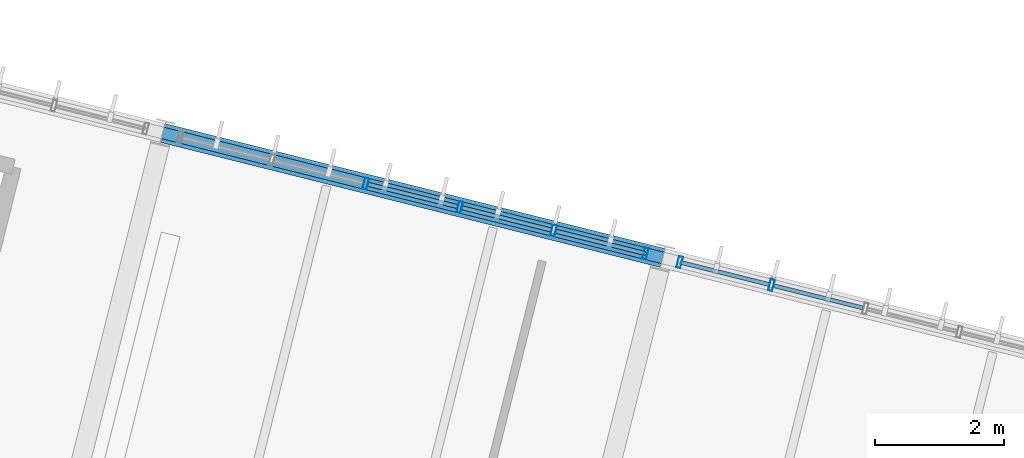
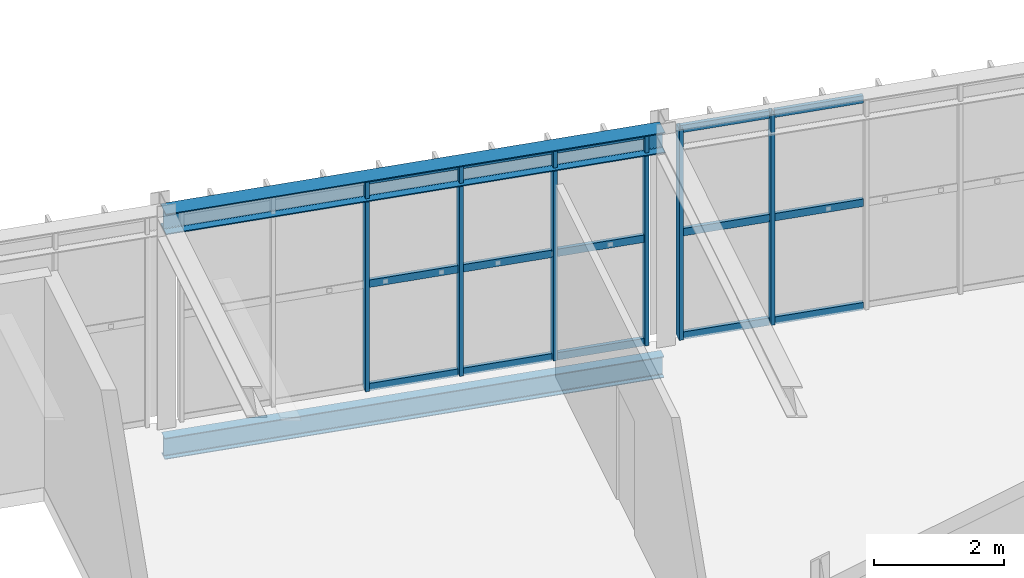
# One storey, part 14 of 30: 21 members, 2 beams, 2 elements without a shape of their own.
"""IFC4 building model written with IfcOpenShell, lengths in metres."""

from ifc_helpers import new_model, si_unit, derived_unit, direction, frame, origin, origin_2d, place, context, subcontext, project, spatial, hollow_rectangle, i_section, extrude, material, material_profile, profile_set, type_object, element, aggregate, save


model = new_model("IFC4")

# Units and contexts
model_context = context("Model", 3, precision=1e-05, world=origin(), true_north=direction((0.0, 1.0)))
body_context = subcontext(model_context, "Body", "Model", "MODEL_VIEW")
ifc_project = project(units=[si_unit("LENGTHUNIT", "METRE"), si_unit("AREAUNIT", "SQUARE_METRE"), si_unit("VOLUMEUNIT", "CUBIC_METRE"), si_unit("PLANEANGLEUNIT", "RADIAN"), si_unit("MASSUNIT", "GRAM", prefix="KILO"), si_unit("THERMODYNAMICTEMPERATUREUNIT", "KELVIN"), si_unit("TIMEUNIT", "SECOND"), derived_unit("THERMALTRANSMITTANCEUNIT", [(si_unit("MASSUNIT", "GRAM", prefix="KILO"), 1), (si_unit("THERMODYNAMICTEMPERATUREUNIT", "KELVIN"), -1), (si_unit("TIMEUNIT", "SECOND"), -3)])], contexts=[model_context])

# Site, building, storey
site_placement = place(None, origin())
site = spatial("IfcSite", under=ifc_project, at=site_placement, CompositionType="ELEMENT")
building_placement = place(site_placement, origin())
building = spatial("IfcBuilding", under=site, at=building_placement, Name="Cambertide Market Hall", CompositionType="ELEMENT")
storey_placement = place(building_placement, frame((0.0, 0.0, 14.10009765625)))
storey = spatial("IfcBuildingStorey", under=building, at=storey_placement, Name="L04", CompositionType="ELEMENT", Elevation=14.10009765625)

# Curtain wall, members
ifc_material_1 = material(Name="Marine Anodized Aluminium 6063-T6 AA25", Category="aluminium")
curtain_wall_type = type_object("IfcCurtainWallType", Name="Herb Conservatory Crown Curtain Wall", PredefinedType="USERDEFINED", material=ifc_material_1)
curtain_wall_1_placement = place(storey_placement, origin())
curtain_wall_1 = element("IfcCurtainWall", 1, at=curtain_wall_1_placement, inside=storey, type_object=curtain_wall_type, Name="Level 4 Curtain Wall CW-V4N-L04-6", ObjectType="UNITIZED CURTAIN WALL", PredefinedType="USERDEFINED")
ifc_material_2 = material(Name="Champagne Marine Anodized Aluminium 6063-T6 AA25", Category="aluminium")
ifc_material_profile_1 = material_profile(ifc_material_2, hollow_rectangle(XDim=0.06494140625, YDim=0.179931640625, WallThickness=0.00390625, at=origin_2d()), Name="ALU MULLION 65x180")
ifc_profile_set_1 = profile_set([ifc_material_profile_1], Name="Champagne Marine Anodized Aluminium 6063-T6 AA25")
member_type_1 = type_object("IfcMemberType", Name="Curtain Wall Mullion ALU MULLION 65x180", PredefinedType="MULLION", material=ifc_profile_set_1)
member_1_placement = place(storey_placement, frame((156.505126953125, 115.70458984375, 0.0), z_axis=(0.0, 0.0, 1.0), x_axis=(0.970142500145, -0.242535625038, 0.0)))
member_1 = element("IfcMember", 2, at=member_1_placement, type_object=member_type_1, Name="CW-V4N-L04-6 Mullion 3", PredefinedType="MULLION", context=body_context, shape_type="SweptSolid", body=[
    extrude(hollow_rectangle(XDim=0.06494140625, YDim=0.179931640625, WallThickness=0.00390625, at=origin_2d()), origin(), (0.0, 0.0, 1.0), 3.9599609375),
])
member_2_placement = place(storey_placement, frame((157.96435546875, 115.33984375, 0.0), z_axis=(0.0, 0.0, 1.0), x_axis=(0.970142500145, -0.242535625038, 0.0)))
member_2 = element("IfcMember", 3, at=member_2_placement, type_object=member_type_1, Name="CW-V4N-L04-6 Mullion 4", PredefinedType="MULLION", context=body_context, shape_type="SweptSolid", body=[
    extrude(hollow_rectangle(XDim=0.06494140625, YDim=0.179931640625, WallThickness=0.00390625, at=origin_2d()), origin(), (0.0, 0.0, 1.0), 3.9599609375),
])
member_3_placement = place(storey_placement, frame((159.42333984375, 114.97509765625, 0.0), z_axis=(0.0, 0.0, 1.0), x_axis=(0.970142500145, -0.242535625038, 0.0)))
member_3 = element("IfcMember", 4, at=member_3_placement, type_object=member_type_1, Name="CW-V4N-L04-6 Mullion 5", PredefinedType="MULLION", context=body_context, shape_type="SweptSolid", body=[
    extrude(hollow_rectangle(XDim=0.06494140625, YDim=0.179931640625, WallThickness=0.00390625, at=origin_2d()), origin(), (0.0, 0.0, 1.0), 3.9599609375),
])
member_4_placement = place(storey_placement, frame((160.8486328125, 114.618896484375, 0.0), z_axis=(0.0, 0.0, 1.0), x_axis=(0.970142500145, -0.242535625038, 0.0)))
member_4 = element("IfcMember", 5, at=member_4_placement, type_object=member_type_1, Name="CW-V4N-L04-6 Mullion 6", PredefinedType="MULLION", context=body_context, shape_type="SweptSolid", body=[
    extrude(hollow_rectangle(XDim=0.06494140625, YDim=0.179931640625, WallThickness=0.00390625, at=origin_2d()), origin(), (0.0, 0.0, 1.0), 3.9599609375),
])

curtain_wall_2_placement = place(storey_placement, origin())
curtain_wall_2 = element("IfcCurtainWall", 6, at=curtain_wall_2_placement, inside=storey, type_object=curtain_wall_type, Name="Level 4 Curtain Wall CW-V4N-L04-7", ObjectType="UNITIZED CURTAIN WALL", PredefinedType="USERDEFINED")
member_5_placement = place(storey_placement, frame((161.382080078125, 114.4853515625, 0.0), z_axis=(0.0, 0.0, 1.0), x_axis=(0.970142500145, -0.242535625038, 0.0)))
member_5 = element("IfcMember", 7, at=member_5_placement, type_object=member_type_1, Name="CW-V4N-L04-7 Mullion 1", PredefinedType="MULLION", context=body_context, shape_type="SweptSolid", body=[
    extrude(hollow_rectangle(XDim=0.06494140625, YDim=0.179931640625, WallThickness=0.00390625, at=origin_2d()), origin(), (0.0, 0.0, 1.0), 3.9599609375),
])
member_6_placement = place(storey_placement, frame((162.80712890625, 114.129150390625, 0.0), z_axis=(0.0, 0.0, 1.0), x_axis=(0.970142500145, -0.242535625038, 0.0)))
member_6 = element("IfcMember", 8, at=member_6_placement, type_object=member_type_1, Name="CW-V4N-L04-7 Mullion 2", PredefinedType="MULLION", context=body_context, shape_type="SweptSolid", body=[
    extrude(hollow_rectangle(XDim=0.06494140625, YDim=0.179931640625, WallThickness=0.00390625, at=origin_2d()), origin(), (0.0, 0.0, 1.0), 3.9599609375),
])

# Member
ifc_material_3 = material(Name="Champagne Marine Anodized Aluminium 6063-T6 AA25", Category="aluminium")
ifc_material_profile_2 = material_profile(ifc_material_3, hollow_rectangle(XDim=0.06494140625, YDim=0.139892578125, WallThickness=0.00341796875, at=origin_2d()), Name="ALU TRANSOM 65x140")
ifc_profile_set_2 = profile_set([ifc_material_profile_2], Name="Champagne Marine Anodized Aluminium 6063-T6 AA25")
member_type_2 = type_object("IfcMemberType", Name="Curtain Wall Transom ALU TRANSOM 65x140", PredefinedType="USERDEFINED", material=ifc_profile_set_2)
member_7_placement = place(storey_placement, frame((156.5439453125, 115.695068359375, 0.034912109375), z_axis=(0.970132415085, -0.242575961715, 0.0), x_axis=(0.242575961715, 0.970132415085, 0.0)))
member_7 = element("IfcMember", 9, at=member_7_placement, type_object=member_type_2, Name="CW-V4N-L04-6 Transom 1-3", ObjectType="TRANSOM", PredefinedType="USERDEFINED", context=body_context, shape_type="SweptSolid", body=[
    extrude(hollow_rectangle(XDim=0.06494140625, YDim=0.139892578125, WallThickness=0.00341796875, at=origin_2d()), origin(), (0.0, 0.0, 1.0), 1.424072265625),
])

member_8_placement = place(storey_placement, frame((158.003173828125, 115.330078125, 0.034912109375), z_axis=(0.970162669427, -0.242454933646, 0.0), x_axis=(0.242454933646, 0.970162669427, 0.0)))
member_8 = element("IfcMember", 10, at=member_8_placement, type_object=member_type_2, Name="CW-V4N-L04-6 Transom 1-4", ObjectType="TRANSOM", PredefinedType="USERDEFINED", context=body_context, shape_type="SweptSolid", body=[
    extrude(hollow_rectangle(XDim=0.06494140625, YDim=0.139892578125, WallThickness=0.00341796875, at=origin_2d()), origin(), (0.0, 0.0, 1.0), 1.423828125),
])

member_9_placement = place(storey_placement, frame((159.462158203125, 114.96533203125, 0.034912109375), z_axis=(0.970172746521, -0.242414607454, 0.0), x_axis=(0.242414607454, 0.970172746521, 0.0)))
member_9 = element("IfcMember", 11, at=member_9_placement, type_object=member_type_2, Name="CW-V4N-L04-6 Transom 1-5", ObjectType="TRANSOM", PredefinedType="USERDEFINED", context=body_context, shape_type="SweptSolid", body=[
    extrude(hollow_rectangle(XDim=0.06494140625, YDim=0.139892578125, WallThickness=0.00341796875, at=origin_2d()), origin(), (0.0, 0.0, 1.0), 1.424072265625),
])

member_10_placement = place(storey_placement, frame((156.5439453125, 115.695068359375, 1.97998046875), z_axis=(0.970132415085, -0.242575961715, 0.0), x_axis=(0.242575961715, 0.970132415085, 0.0)))
member_10 = element("IfcMember", 12, at=member_10_placement, type_object=member_type_2, Name="CW-V4N-L04-6 Transom 2-3", ObjectType="TRANSOM", PredefinedType="USERDEFINED", context=body_context, shape_type="SweptSolid", body=[
    extrude(hollow_rectangle(XDim=0.06494140625, YDim=0.139892578125, WallThickness=0.00341796875, at=origin_2d()), origin(), (0.0, 0.0, 1.0), 1.424072265625),
])

member_11_placement = place(storey_placement, frame((158.003173828125, 115.330078125, 1.97998046875), z_axis=(0.970162669427, -0.242454933646, 0.0), x_axis=(0.242454933646, 0.970162669427, 0.0)))
member_11 = element("IfcMember", 13, at=member_11_placement, type_object=member_type_2, Name="CW-V4N-L04-6 Transom 2-4", ObjectType="TRANSOM", PredefinedType="USERDEFINED", context=body_context, shape_type="SweptSolid", body=[
    extrude(hollow_rectangle(XDim=0.06494140625, YDim=0.139892578125, WallThickness=0.00341796875, at=origin_2d()), origin(), (0.0, 0.0, 1.0), 1.423828125),
])

member_12_placement = place(storey_placement, frame((159.462158203125, 114.96533203125, 1.97998046875), z_axis=(0.970172746521, -0.242414607454, 0.0), x_axis=(0.242414607454, 0.970172746521, 0.0)))
member_12 = element("IfcMember", 14, at=member_12_placement, type_object=member_type_2, Name="CW-V4N-L04-6 Transom 2-5", ObjectType="TRANSOM", PredefinedType="USERDEFINED", context=body_context, shape_type="SweptSolid", body=[
    extrude(hollow_rectangle(XDim=0.06494140625, YDim=0.139892578125, WallThickness=0.00341796875, at=origin_2d()), origin(), (0.0, 0.0, 1.0), 1.424072265625),
])

member_13_placement = place(storey_placement, frame((156.5439453125, 115.695068359375, 3.9248046875), z_axis=(0.970132415085, -0.242575961715, 0.0), x_axis=(0.242575961715, 0.970132415085, 0.0)))
member_13 = element("IfcMember", 15, at=member_13_placement, type_object=member_type_2, Name="CW-V4N-L04-6 Transom 3-3", ObjectType="TRANSOM", PredefinedType="USERDEFINED", context=body_context, shape_type="SweptSolid", body=[
    extrude(hollow_rectangle(XDim=0.06494140625, YDim=0.139892578125, WallThickness=0.00341796875, at=origin_2d()), origin(), (0.0, 0.0, 1.0), 1.424072265625),
])

member_14_placement = place(storey_placement, frame((158.003173828125, 115.330078125, 3.9248046875), z_axis=(0.970162669427, -0.242454933646, 0.0), x_axis=(0.242454933646, 0.970162669427, 0.0)))
member_14 = element("IfcMember", 16, at=member_14_placement, type_object=member_type_2, Name="CW-V4N-L04-6 Transom 3-4", ObjectType="TRANSOM", PredefinedType="USERDEFINED", context=body_context, shape_type="SweptSolid", body=[
    extrude(hollow_rectangle(XDim=0.06494140625, YDim=0.139892578125, WallThickness=0.00341796875, at=origin_2d()), origin(), (0.0, 0.0, 1.0), 1.423828125),
])

member_15_placement = place(storey_placement, frame((159.462158203125, 114.96533203125, 3.9248046875), z_axis=(0.970172746521, -0.242414607454, 0.0), x_axis=(0.242414607454, 0.970172746521, 0.0)))
member_15 = element("IfcMember", 17, at=member_15_placement, type_object=member_type_2, Name="CW-V4N-L04-6 Transom 3-5", ObjectType="TRANSOM", PredefinedType="USERDEFINED", context=body_context, shape_type="SweptSolid", body=[
    extrude(hollow_rectangle(XDim=0.06494140625, YDim=0.139892578125, WallThickness=0.00341796875, at=origin_2d()), origin(), (0.0, 0.0, 1.0), 1.424072265625),
])

aggregate(curtain_wall_1, [member_1, member_2, member_3, member_4, member_7, member_8, member_9, member_10, member_11, member_12, member_13, member_14, member_15])

member_16_placement = place(storey_placement, frame((161.386962890625, 114.484130859375, 0.034912109375), z_axis=(0.970162669427, -0.242454933646, 0.0), x_axis=(0.242454933646, 0.970162669427, 0.0)))
member_16 = element("IfcMember", 18, at=member_16_placement, type_object=member_type_2, Name="CW-V4N-L04-7 Transom 1-1", ObjectType="TRANSOM", PredefinedType="USERDEFINED", context=body_context, shape_type="SweptSolid", body=[
    extrude(hollow_rectangle(XDim=0.06494140625, YDim=0.139892578125, WallThickness=0.00341796875, at=origin_2d()), origin(), (0.0, 0.0, 1.0), 1.423828125),
])

member_17_placement = place(storey_placement, frame((162.845947265625, 114.119384765625, 0.034912109375), z_axis=(0.970172746521, -0.242414607454, 0.0), x_axis=(0.242414607454, 0.970172746521, 0.0)))
member_17 = element("IfcMember", 19, at=member_17_placement, type_object=member_type_2, Name="CW-V4N-L04-7 Transom 1-2", ObjectType="TRANSOM", PredefinedType="USERDEFINED", context=body_context, shape_type="SweptSolid", body=[
    extrude(hollow_rectangle(XDim=0.06494140625, YDim=0.139892578125, WallThickness=0.00341796875, at=origin_2d()), origin(), (0.0, 0.0, 1.0), 1.424072265625),
])

member_18_placement = place(storey_placement, frame((161.386962890625, 114.484130859375, 1.97998046875), z_axis=(0.970162669427, -0.242454933646, 0.0), x_axis=(0.242454933646, 0.970162669427, 0.0)))
member_18 = element("IfcMember", 20, at=member_18_placement, type_object=member_type_2, Name="CW-V4N-L04-7 Transom 2-1", ObjectType="TRANSOM", PredefinedType="USERDEFINED", context=body_context, shape_type="SweptSolid", body=[
    extrude(hollow_rectangle(XDim=0.06494140625, YDim=0.139892578125, WallThickness=0.00341796875, at=origin_2d()), origin(), (0.0, 0.0, 1.0), 1.423828125),
])

member_19_placement = place(storey_placement, frame((162.845947265625, 114.119384765625, 1.97998046875), z_axis=(0.970172746521, -0.242414607454, 0.0), x_axis=(0.242414607454, 0.970172746521, 0.0)))
member_19 = element("IfcMember", 21, at=member_19_placement, type_object=member_type_2, Name="CW-V4N-L04-7 Transom 2-2", ObjectType="TRANSOM", PredefinedType="USERDEFINED", context=body_context, shape_type="SweptSolid", body=[
    extrude(hollow_rectangle(XDim=0.06494140625, YDim=0.139892578125, WallThickness=0.00341796875, at=origin_2d()), origin(), (0.0, 0.0, 1.0), 1.424072265625),
])

member_20_placement = place(storey_placement, frame((161.386962890625, 114.484130859375, 3.9248046875), z_axis=(0.970162669427, -0.242454933646, 0.0), x_axis=(0.242454933646, 0.970162669427, 0.0)))
member_20 = element("IfcMember", 22, at=member_20_placement, type_object=member_type_2, Name="CW-V4N-L04-7 Transom 3-1", ObjectType="TRANSOM", PredefinedType="USERDEFINED", context=body_context, shape_type="SweptSolid", body=[
    extrude(hollow_rectangle(XDim=0.06494140625, YDim=0.139892578125, WallThickness=0.00341796875, at=origin_2d()), origin(), (0.0, 0.0, 1.0), 1.423828125),
])

member_21_placement = place(storey_placement, frame((162.845947265625, 114.119384765625, 3.9248046875), z_axis=(0.970172746521, -0.242414607454, 0.0), x_axis=(0.242414607454, 0.970172746521, 0.0)))
member_21 = element("IfcMember", 23, at=member_21_placement, type_object=member_type_2, Name="CW-V4N-L04-7 Transom 3-2", ObjectType="TRANSOM", PredefinedType="USERDEFINED", context=body_context, shape_type="SweptSolid", body=[
    extrude(hollow_rectangle(XDim=0.06494140625, YDim=0.139892578125, WallThickness=0.00341796875, at=origin_2d()), origin(), (0.0, 0.0, 1.0), 1.424072265625),
])

aggregate(curtain_wall_2, [member_5, member_6, member_16, member_17, member_18, member_19, member_20, member_21])

# Beams
ifc_material_4 = material(Name="Steel S355", Category="steel")
ifc_material_profile_3 = material_profile(ifc_material_4, i_section(OverallWidth=0.300048828125, OverallDepth=0.389892578125, WebThickness=0.010986328125, FlangeThickness=0.01904296875, FilletRadius=0.027099609375, at=origin_2d()), Name="HEA 400")
ifc_profile_set_3 = profile_set([ifc_material_profile_3], Name="Steel S355")
beam_type_1 = type_object("IfcBeamType", Name="Exterior Steel Girder HEA 400", PredefinedType="BEAM", material=ifc_profile_set_3)
beam_1_placement = place(storey_placement, frame((153.354248046875, 116.492431640625, 3.804931640625), z_axis=(0.970144295309, -0.242528444268, 0.0), x_axis=(0.242528444268, 0.970144295309, 0.0)))
element("IfcBeam", 24, at=beam_1_placement, inside=storey, type_object=beam_type_1, Name="Level 4 Beam BM-V4U-RF-6-4", PredefinedType="BEAM", context=body_context, shape_type="SweptSolid", body=[
    extrude(i_section(OverallWidth=0.300048828125, OverallDepth=0.389892578125, WebThickness=0.010986328125, FlangeThickness=0.01904296875, FilletRadius=0.027099609375, at=origin_2d()), origin(), (0.0, 0.0, 1.0), 7.999755859375),
])
ifc_material_5 = material(Name="Steel S355", Category="steel")
ifc_material_profile_4 = material_profile(ifc_material_5, i_section(OverallWidth=0.179931640625, OverallDepth=0.39990234375, WebThickness=0.008544921875, FlangeThickness=0.013427734375, FilletRadius=0.02099609375, at=origin_2d()), Name="IPE 400")
ifc_profile_set_4 = profile_set([ifc_material_profile_4], Name="Steel S355")
beam_type_2 = type_object("IfcBeamType", Name="Perimeter Spandrel Beam IPE 400", PredefinedType="SPANDREL", material=ifc_profile_set_4)
beam_2_placement = place(storey_placement, frame((153.354248046875, 116.492431640625, -0.455078125), z_axis=(0.970144295309, -0.242528444268, 0.0), x_axis=(0.242528444268, 0.970144295309, 0.0)))
element("IfcBeam", 25, at=beam_2_placement, inside=storey, type_object=beam_type_2, Name="Level 4 Spandrel BM-V4U-L04-6-4", PredefinedType="SPANDREL", context=body_context, shape_type="SweptSolid", body=[
    extrude(i_section(OverallWidth=0.179931640625, OverallDepth=0.39990234375, WebThickness=0.008544921875, FlangeThickness=0.013427734375, FilletRadius=0.02099609375, at=origin_2d()), origin(), (0.0, 0.0, 1.0), 7.999755859375),
])

save(model, "model.ifc")
